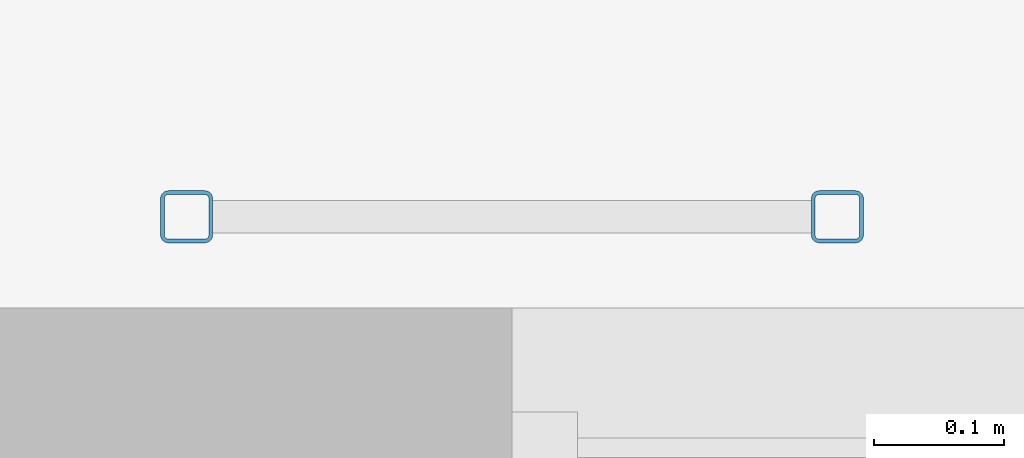
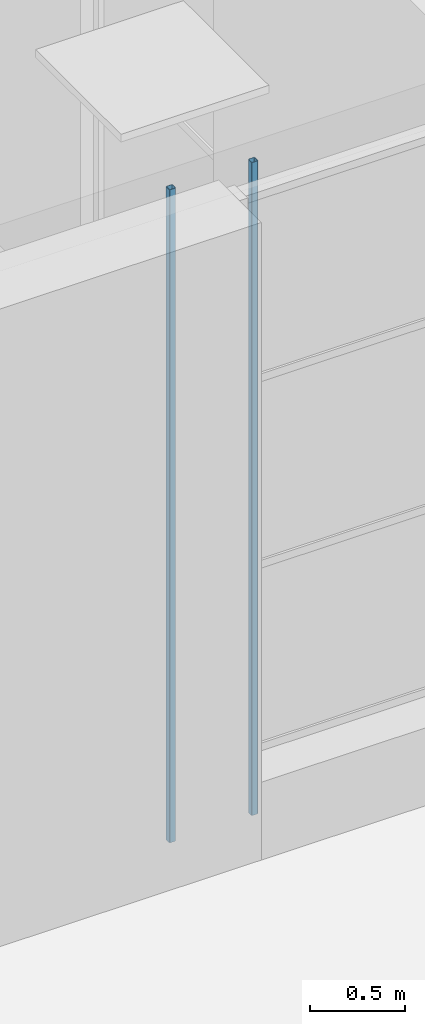
# One storey, part 53 of 66: 2 discrete accessories.
"""IFC4 building model written with IfcOpenShell, lengths in metres."""

from ifc_helpers import new_model, si_unit, direction, frame, origin, origin_2d, place, context, subcontext, project, spatial, hollow_rectangle, extrude, material, material_profile, profile_set, type_object, element, save


model = new_model("IFC4")

# Units and contexts
model_context = context("Model", 3, precision=1e-05, world=origin(), true_north=direction((0.0, 1.0)))
body_context = subcontext(model_context, "Body", "Model", "MODEL_VIEW")
ifc_project = project(units=[si_unit("LENGTHUNIT", "METRE"), si_unit("AREAUNIT", "SQUARE_METRE"), si_unit("VOLUMEUNIT", "CUBIC_METRE"), si_unit("PLANEANGLEUNIT", "RADIAN"), si_unit("MASSUNIT", "GRAM", prefix="KILO")], contexts=[model_context])

# Site, building, storey
site_placement = place(None, origin())
site = spatial("IfcSite", under=ifc_project, at=site_placement, CompositionType="ELEMENT")
building_placement = place(site_placement, origin())
building = spatial("IfcBuilding", under=site, at=building_placement, Name="Yavir Park General Hospital", CompositionType="ELEMENT")
storey_placement = place(building_placement, frame((0.0, 0.0, 8.39990234375)))
storey = spatial("IfcBuildingStorey", under=building, at=storey_placement, Name="L02", CompositionType="ELEMENT", Elevation=8.39990234375)

# Discrete accessories
ifc_material = material(Name="Steel S355", Category="steel")
ifc_material_profile = material_profile(ifc_material, hollow_rectangle(XDim=0.0400390625, YDim=0.0400390625, WallThickness=0.0029296875, InnerFilletRadius=0.0029296875, OuterFilletRadius=0.006103515625, at=origin_2d()), Name="RHS40x40x3")
ifc_profile_set = profile_set([ifc_material_profile], Name="Steel S355")
discrete_accessory_type = type_object("IfcDiscreteAccessoryType", Name="Ladder stringer SHS 40", PredefinedType="BRACKET", material=ifc_profile_set)
for number, where, z_axis, x_axis, name in (
    (1, (165.89990234375, 75.820068359375, 0.0), (0.0, 0.0, 1.0), (1.0, 0.0, 0.0), "Ladder stringer ES2 A"),
    (2, (166.39990234375, 75.820068359375, 0.0), (0.0, 0.0, 1.0), (1.0, 0.0, 0.0), "Ladder stringer ES2 B"),
):
    element("IfcDiscreteAccessory", number, at=place(storey_placement, frame(where, z_axis=z_axis, x_axis=x_axis)), inside=storey, type_object=discrete_accessory_type, Name=name, PredefinedType="BRACKET", context=body_context, shape_type="SweptSolid", body=[
        extrude(hollow_rectangle(XDim=0.0400390625, YDim=0.0400390625, WallThickness=0.0029296875, InnerFilletRadius=0.0029296875, OuterFilletRadius=0.006103515625, at=origin_2d()), origin(), (0.0, 0.0, 1.0), 4.199951171875),
    ])

save(model, "model.ifc")
